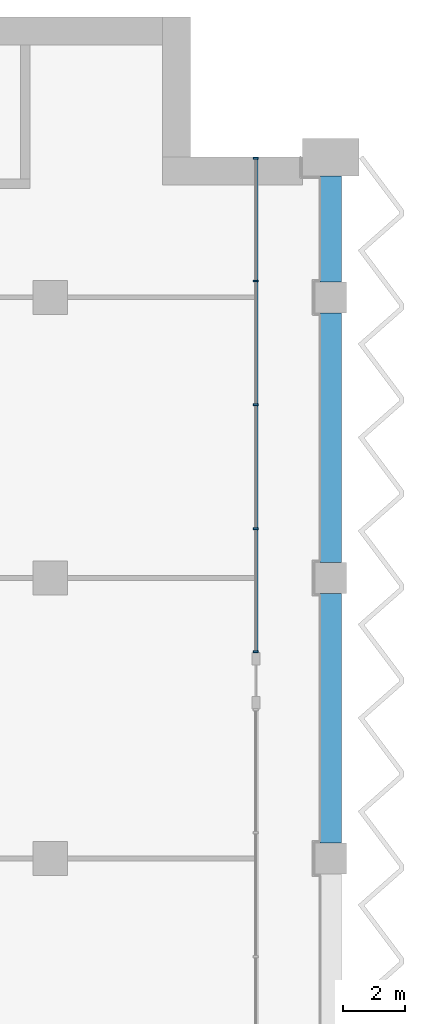
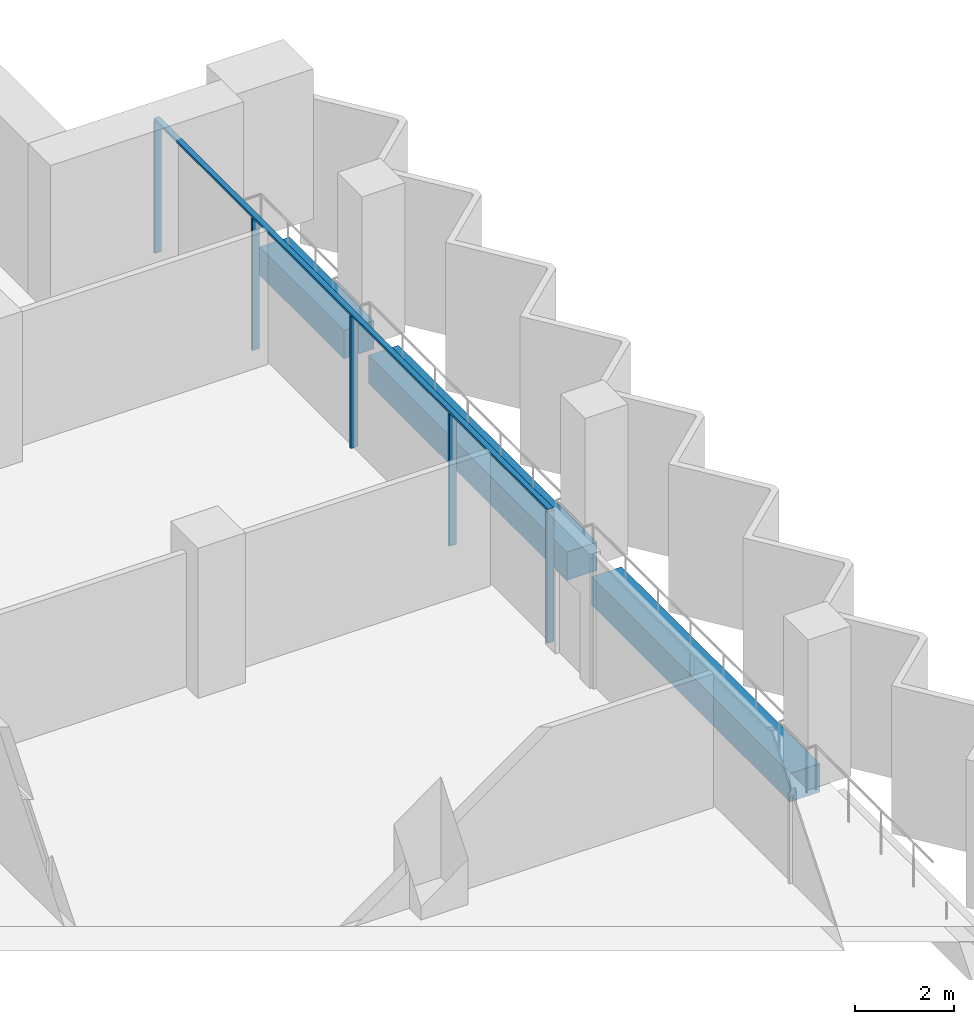
# One storey, part 5 of 17: 6 members, 3 beams, 1 element without a shape of its own.
"""IFC4 building model written with IfcOpenShell, lengths in metres."""

from ifc_helpers import new_model, si_unit, direction, frame, origin, origin_2d, place, context, subcontext, project, spatial, rectangle, extrude, material, material_profile, profile_set, type_object, element, aggregate, save


model = new_model("IFC4")

# Units and contexts
model_context = context("Model", 3, precision=1e-05, world=origin(), true_north=direction((0.0, 1.0)))
body_context = subcontext(model_context, "Body", "Model", "MODEL_VIEW")
ifc_project = project(units=[si_unit("LENGTHUNIT", "METRE"), si_unit("AREAUNIT", "SQUARE_METRE"), si_unit("VOLUMEUNIT", "CUBIC_METRE"), si_unit("PLANEANGLEUNIT", "RADIAN"), si_unit("MASSUNIT", "GRAM", prefix="KILO")], contexts=[model_context])

# Site, building, storey
site_placement = place(None, origin())
site = spatial("IfcSite", under=ifc_project, at=site_placement, CompositionType="ELEMENT")
building_placement = place(site_placement, origin())
building = spatial("IfcBuilding", under=site, at=building_placement, Name="Hunhe Ridgeline Campus", CompositionType="ELEMENT")
storey_placement = place(building_placement, frame((0.0, 0.0, 208.699951171875)))
storey = spatial("IfcBuildingStorey", under=building, at=storey_placement, Name="L53", CompositionType="ELEMENT", Elevation=208.699951171875)

# Curtain wall, members
ifc_material_1 = material(Name="Aluminium 6063", Category="aluminium")
curtain_wall_type = type_object("IfcCurtainWallType", Name="Curtain wall CW-1", PredefinedType="NOTDEFINED", material=ifc_material_1)
curtain_wall_placement = place(storey_placement, origin())
curtain_wall = element("IfcCurtainWall", 1, at=curtain_wall_placement, inside=storey, type_object=curtain_wall_type, Name="Curtain wall 14", PredefinedType="NOTDEFINED")
ifc_material_profile_1 = material_profile(ifc_material_1, rectangle(XDim=0.159912109375, YDim=0.06005859375, at=origin_2d()))
ifc_profile_set_1 = profile_set([ifc_material_profile_1], Name="Aluminium 6063")
member_type_1 = type_object("IfcMemberType", Name="CW-1 aluminium mullion", PredefinedType="MULLION", material=ifc_profile_set_1)
member_1_placement = place(storey_placement, frame((51.59912109375, 78.630615234375, 0.0), z_axis=(0.0, 0.0, 1.0), x_axis=(-1.0, 0.0, 0.0)))
member_1 = element("IfcMember", 2, at=member_1_placement, type_object=member_type_1, Name="CW-1 mullion 1", PredefinedType="MULLION", context=body_context, shape_type="SweptSolid", body=[
    extrude(rectangle(XDim=0.159912109375, YDim=0.06005859375, at=origin_2d()), origin(), (0.0, 0.0, 1.0), 3.239990234375),
])
member_2_placement = place(storey_placement, frame((51.59912109375, 82.575439453125, 0.0), z_axis=(0.0, 0.0, 1.0), x_axis=(-1.0, 0.0, 0.0)))
member_2 = element("IfcMember", 3, at=member_2_placement, type_object=member_type_1, Name="CW-1 mullion 2", PredefinedType="MULLION", context=body_context, shape_type="SweptSolid", body=[
    extrude(rectangle(XDim=0.159912109375, YDim=0.06005859375, at=origin_2d()), origin(), (0.0, 0.0, 1.0), 3.239990234375),
])
member_3_placement = place(storey_placement, frame((51.59912109375, 86.55029296875, 0.0), z_axis=(0.0, 0.0, 1.0), x_axis=(-1.0, 0.0, 0.0)))
member_3 = element("IfcMember", 4, at=member_3_placement, type_object=member_type_1, Name="CW-1 mullion 3", PredefinedType="MULLION", context=body_context, shape_type="SweptSolid", body=[
    extrude(rectangle(XDim=0.159912109375, YDim=0.06005859375, at=origin_2d()), origin(), (0.0, 0.0, 1.0), 3.239990234375),
])
member_4_placement = place(storey_placement, frame((51.59912109375, 90.525146484375, 0.0), z_axis=(0.0, 0.0, 1.0), x_axis=(-1.0, 0.0, 0.0)))
member_4 = element("IfcMember", 5, at=member_4_placement, type_object=member_type_1, Name="CW-1 mullion 4", PredefinedType="MULLION", context=body_context, shape_type="SweptSolid", body=[
    extrude(rectangle(XDim=0.159912109375, YDim=0.06005859375, at=origin_2d()), origin(), (0.0, 0.0, 1.0), 3.239990234375),
])
member_5_placement = place(storey_placement, frame((51.59912109375, 94.469970703125, 0.0), z_axis=(0.0, 0.0, 1.0), x_axis=(-1.0, 0.0, 0.0)))
member_5 = element("IfcMember", 6, at=member_5_placement, type_object=member_type_1, Name="CW-1 mullion 5", PredefinedType="MULLION", context=body_context, shape_type="SweptSolid", body=[
    extrude(rectangle(XDim=0.159912109375, YDim=0.06005859375, at=origin_2d()), origin(), (0.0, 0.0, 1.0), 3.239990234375),
])
ifc_material_profile_2 = material_profile(ifc_material_1, rectangle(XDim=0.1201171875, YDim=0.06005859375, at=origin_2d()))
ifc_profile_set_2 = profile_set([ifc_material_profile_2], Name="Aluminium 6063")
member_type_2 = type_object("IfcMemberType", Name="CW-1 aluminium transom", PredefinedType="USERDEFINED", material=ifc_profile_set_2)
member_6_placement = place(storey_placement, frame((51.59912109375, 78.6005859375, 3.27001953125), z_axis=(0.0, 1.0, 0.0), x_axis=(-1.0, 0.0, 0.0)))
member_6 = element("IfcMember", 7, at=member_6_placement, type_object=member_type_2, Name="CW-1 transom 1", ObjectType="TRANSOM", PredefinedType="USERDEFINED", context=body_context, shape_type="SweptSolid", body=[
    extrude(rectangle(XDim=0.1201171875, YDim=0.06005859375, at=origin_2d()), origin(), (0.0, 0.0, 1.0), 15.8994140625),
])
aggregate(curtain_wall, [member_6, member_1, member_2, member_3, member_4, member_5])

# Beams
ifc_material_2 = material(Name="Concrete C50", Category="concrete")
ifc_material_profile_3 = material_profile(ifc_material_2, rectangle(XDim=0.699951171875, YDim=0.699951171875, at=origin_2d()))
ifc_profile_set_3 = profile_set([ifc_material_profile_3], Name="Concrete C50")
beam_type = type_object("IfcBeamType", Name="RC spandrel beam 700x700 Concrete C50", PredefinedType="SPANDREL", material=ifc_profile_set_3)
for number, where, z_axis, x_axis, name in (
    (8, (54.0, 72.5, -0.599853515625), (0.0, 1.0, 0.0), (-1.0, 0.0, 0.0), "Spandrel beam B3-16 L53"),
    (9, (54.0, 81.5, -0.599853515625), (0.0, 1.0, 0.0), (-1.0, 0.0, 0.0), "Spandrel beam B3-17 L53"),
):
    element("IfcBeam", number, at=place(storey_placement, frame(where, z_axis=z_axis, x_axis=x_axis)), inside=storey, type_object=beam_type, Name=name, PredefinedType="SPANDREL", context=body_context, shape_type="SweptSolid", body=[
        extrude(rectangle(XDim=0.699951171875, YDim=0.699951171875, at=origin_2d()), origin(), (0.0, 0.0, 1.0), 8.0),
    ])
beam_placement = place(storey_placement, frame((54.0, 90.5, -0.599853515625), z_axis=(0.0, 1.0, 0.0), x_axis=(-1.0, 0.0, 0.0)))
element("IfcBeam", 10, at=beam_placement, inside=storey, type_object=beam_type, Name="Spandrel beam B3-18 L53", PredefinedType="SPANDREL", context=body_context, shape_type="SweptSolid", body=[
    extrude(rectangle(XDim=0.699951171875, YDim=0.699951171875, at=origin_2d()), origin(), (0.0, 0.0, 1.0), 3.39990234375),
])

save(model, "model.ifc")
